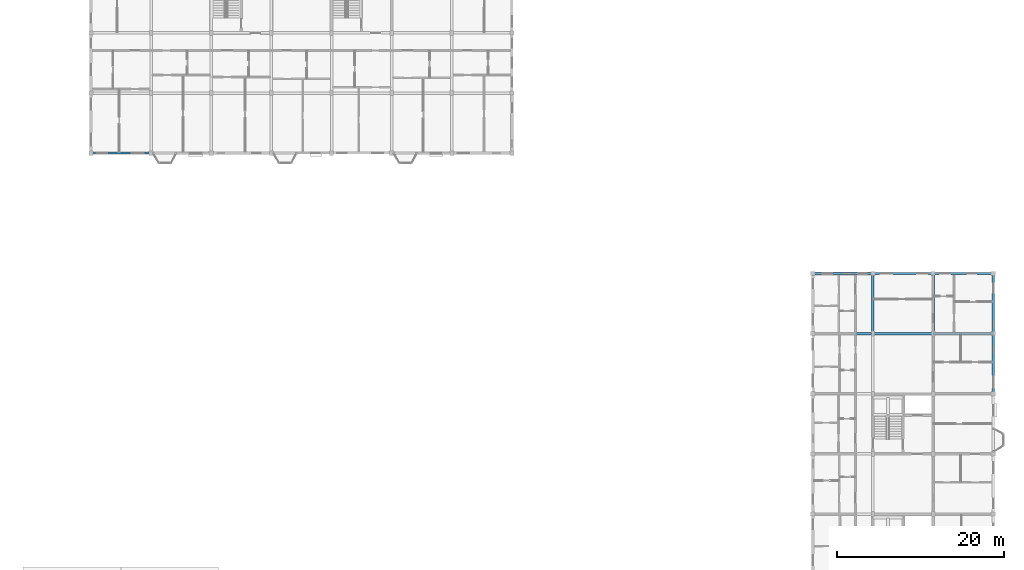
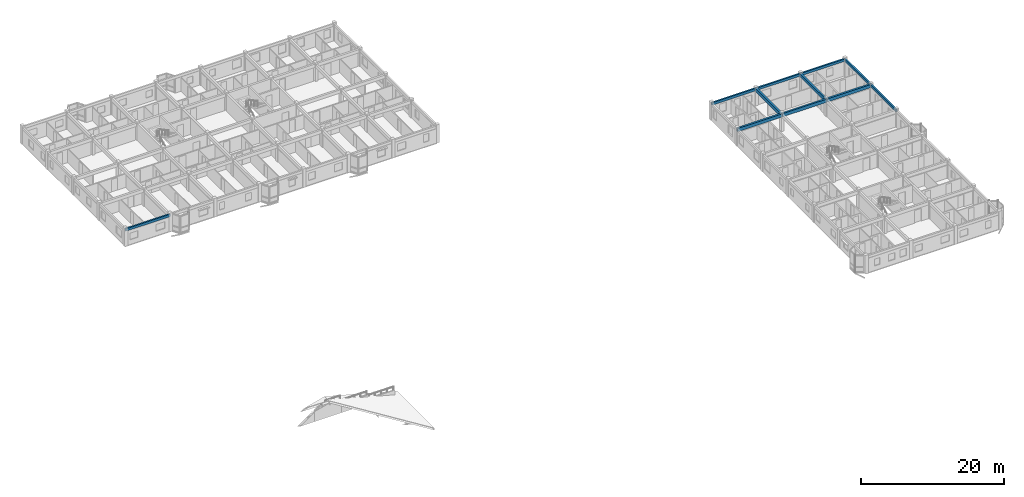
# One storey, part 26 of 65: 11 beams.
"""IFC4 building model written with IfcOpenShell, lengths in metres."""

from ifc_helpers import new_model, si_unit, direction, frame, origin, origin_2d, place, context, subcontext, project, spatial, rectangle, extrude, material, material_profile, profile_set, type_object, element, save


model = new_model("IFC4")

# Units and contexts
model_context = context("Model", 3, precision=1e-05, world=origin(), true_north=direction((0.0, 1.0)))
body_context = subcontext(model_context, "Body", "Model", "MODEL_VIEW")
ifc_project = project(units=[si_unit("LENGTHUNIT", "METRE"), si_unit("AREAUNIT", "SQUARE_METRE"), si_unit("VOLUMEUNIT", "CUBIC_METRE"), si_unit("PLANEANGLEUNIT", "RADIAN"), si_unit("MASSUNIT", "GRAM", prefix="KILO"), si_unit("THERMODYNAMICTEMPERATUREUNIT", "KELVIN"), si_unit("POWERUNIT", "WATT")], contexts=[model_context])

# Site, building, storey
site_placement = place(None, origin())
site = spatial("IfcSite", under=ifc_project, at=site_placement, CompositionType="ELEMENT")
building_placement = place(site_placement, origin())
building = spatial("IfcBuilding", under=site, at=building_placement, Name="Tavuni Mirador Residences", CompositionType="ELEMENT")
storey_placement = place(building_placement, frame((0.0, 0.0, 29.699951171875)))
storey = spatial("IfcBuildingStorey", under=building, at=storey_placement, Name="L09", CompositionType="ELEMENT", Elevation=29.699951171875)

# Beams
ifc_material = material(Name="Precast concrete C40/50", Category="concrete")
ifc_material_profile_1 = material_profile(ifc_material, rectangle(XDim=0.300048828125, YDim=0.550048828125, at=origin_2d()), Name="PC 300x550", Category="concrete")
ifc_profile_set_1 = profile_set([ifc_material_profile_1], Name="Precast concrete C40/50")
beam_type_1 = type_object("IfcBeamType", Name="BT-B550", PredefinedType="BEAM", material=ifc_profile_set_1)
beam_1_placement = place(storey_placement, frame((97.199951171875, 122.39990234375, 2.614990234375), z_axis=(1.0, 0.0, 0.0), x_axis=(0.0, 1.0, 0.0)))
element("IfcBeam", 1, at=beam_1_placement, inside=storey, type_object=beam_type_1, Name="BMX-BLK-D-L09-00-05", PredefinedType="BEAM", context=body_context, shape_type="SweptSolid", body=[
    extrude(rectangle(XDim=0.300048828125, YDim=0.550048828125, at=origin_2d()), origin(), (0.0, 0.0, 1.0), 7.199951171875),
])
beam_2_placement = place(storey_placement, frame((104.39990234375, 122.39990234375, 2.614990234375), z_axis=(1.0, 0.0, 0.0), x_axis=(0.0, 1.0, 0.0)))
element("IfcBeam", 2, at=beam_2_placement, inside=storey, type_object=beam_type_1, Name="BMX-BLK-D-L09-01-05", PredefinedType="BEAM", context=body_context, shape_type="SweptSolid", body=[
    extrude(rectangle(XDim=0.300048828125, YDim=0.550048828125, at=origin_2d()), origin(), (0.0, 0.0, 1.0), 7.2001953125),
])
beam_3_placement = place(storey_placement, frame((111.60009765625, 122.39990234375, 2.614990234375), z_axis=(1.0, 0.0, 0.0), x_axis=(0.0, 1.0, 0.0)))
element("IfcBeam", 3, at=beam_3_placement, inside=storey, type_object=beam_type_1, Name="BMX-BLK-D-L09-02-05", PredefinedType="BEAM", context=body_context, shape_type="SweptSolid", body=[
    extrude(rectangle(XDim=0.300048828125, YDim=0.550048828125, at=origin_2d()), origin(), (0.0, 0.0, 1.0), 7.199951171875),
])
for number, where, z_axis, x_axis, name in (
    (4, (104.39990234375, 122.39990234375, 2.614990234375), (0.0, 1.0, 0.0), (-1.0, 0.0, 0.0), "BMY-BLK-D-L09-01-05"),
    (5, (111.60009765625, 122.39990234375, 2.614990234375), (0.0, 1.0, 0.0), (-1.0, 0.0, 0.0), "BMY-BLK-D-L09-02-05"),
):
    element("IfcBeam", number, at=place(storey_placement, frame(where, z_axis=z_axis, x_axis=x_axis)), inside=storey, type_object=beam_type_1, Name=name, PredefinedType="BEAM", context=body_context, shape_type="SweptSolid", body=[
        extrude(rectangle(XDim=0.300048828125, YDim=0.550048828125, at=origin_2d()), origin(), (0.0, 0.0, 1.0), 7.2001953125),
    ])
ifc_material_profile_2 = material_profile(ifc_material, rectangle(XDim=0.25, YDim=0.419921875, at=origin_2d()), Name="PC 250x420", Category="concrete")
ifc_profile_set_2 = profile_set([ifc_material_profile_2], Name="Precast concrete C40/50")
beam_type_2 = type_object("IfcBeamType", Name="BT-SP420", PredefinedType="SPANDREL", material=ifc_profile_set_2)
for number, where, z_axis, x_axis, name in (
    (6, (10.800048828125, 144.0, 2.675048828125), (1.0, 0.0, 0.0), (0.0, 1.0, 0.0), "BMX-BLK-C-L09-00-00"),
    (7, (97.199951171875, 129.60009765625, 2.679931640625), (1.0, 0.0, 0.0), (0.0, 1.0, 0.0), "BMX-BLK-D-L09-00-06"),
):
    element("IfcBeam", number, at=place(storey_placement, frame(where, z_axis=z_axis, x_axis=x_axis)), inside=storey, type_object=beam_type_2, Name=name, PredefinedType="SPANDREL", context=body_context, shape_type="SweptSolid", body=[
        extrude(rectangle(XDim=0.25, YDim=0.419921875, at=origin_2d()), origin(), (0.0, 0.0, 1.0), 7.199951171875),
    ])
beam_4_placement = place(storey_placement, frame((104.39990234375, 129.60009765625, 2.679931640625), z_axis=(1.0, 0.0, 0.0), x_axis=(0.0, 1.0, 0.0)))
element("IfcBeam", 8, at=beam_4_placement, inside=storey, type_object=beam_type_2, Name="BMX-BLK-D-L09-01-06", PredefinedType="SPANDREL", context=body_context, shape_type="SweptSolid", body=[
    extrude(rectangle(XDim=0.25, YDim=0.419921875, at=origin_2d()), origin(), (0.0, 0.0, 1.0), 7.2001953125),
])
for number, where, z_axis, x_axis, name in (
    (9, (111.60009765625, 129.60009765625, 2.679931640625), (1.0, 0.0, 0.0), (0.0, 1.0, 0.0), "BMX-BLK-D-L09-02-06"),
    (10, (118.800048828125, 115.199951171875, 2.679931640625), (0.0, 1.0, 0.0), (-1.0, 0.0, 0.0), "BMY-BLK-D-L09-03-04"),
):
    element("IfcBeam", number, at=place(storey_placement, frame(where, z_axis=z_axis, x_axis=x_axis)), inside=storey, type_object=beam_type_2, Name=name, PredefinedType="SPANDREL", context=body_context, shape_type="SweptSolid", body=[
        extrude(rectangle(XDim=0.25, YDim=0.419921875, at=origin_2d()), origin(), (0.0, 0.0, 1.0), 7.199951171875),
    ])
beam_5_placement = place(storey_placement, frame((118.800048828125, 122.39990234375, 2.679931640625), z_axis=(0.0, 1.0, 0.0), x_axis=(-1.0, 0.0, 0.0)))
element("IfcBeam", 11, at=beam_5_placement, inside=storey, type_object=beam_type_2, Name="BMY-BLK-D-L09-03-05", PredefinedType="SPANDREL", context=body_context, shape_type="SweptSolid", body=[
    extrude(rectangle(XDim=0.25, YDim=0.419921875, at=origin_2d()), origin(), (0.0, 0.0, 1.0), 7.2001953125),
])

save(model, "model.ifc")
